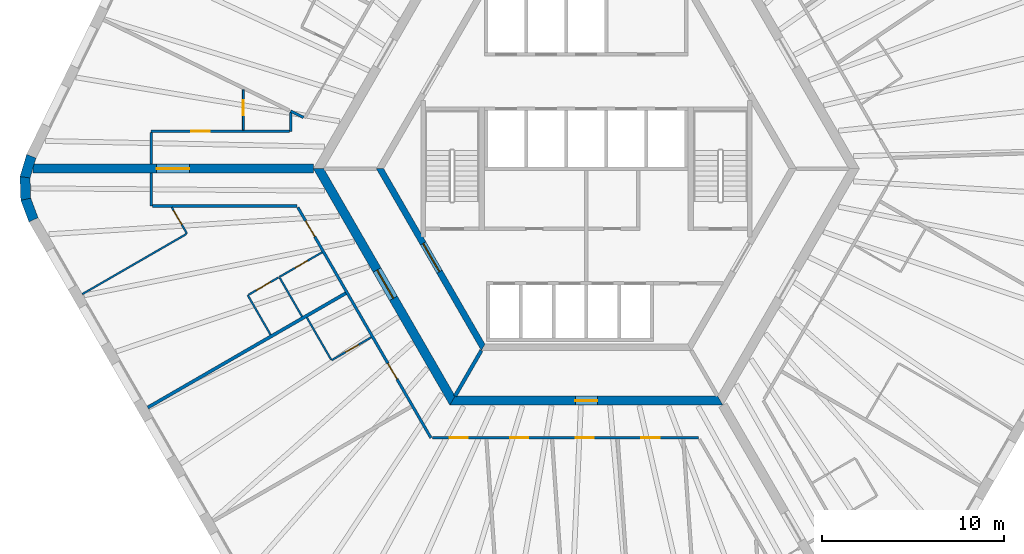
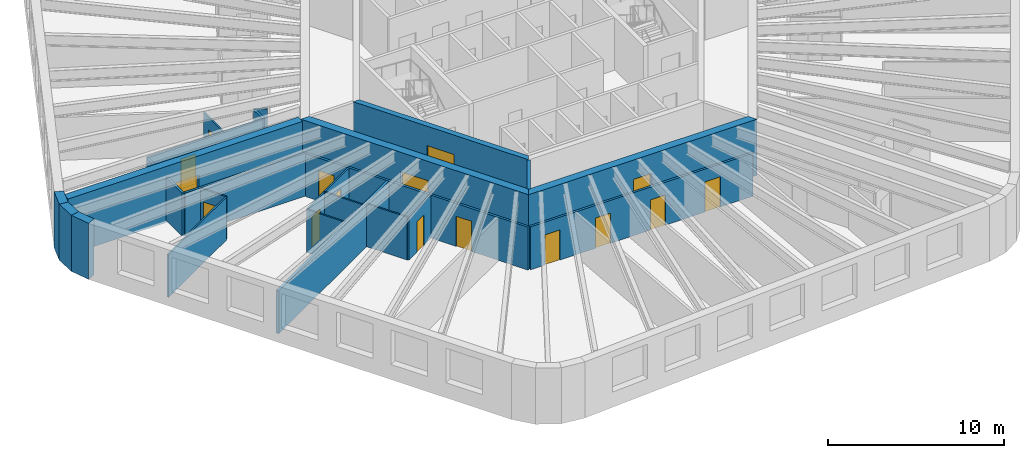
# One storey, part 3 of 10: 26 walls, 16 doors, 16 openings.
"""IFC4 building model written with IfcOpenShell, lengths in metres."""

from ifc_helpers import new_model, si_unit, direction, frame, frame_2d, origin, place, context, subcontext, project, spatial, polyline, rectangle, outline, extrude, material, layer, layer_set, type_object, element, fill, save


model = new_model("IFC4")

# Units and contexts
model_context = context("Model", 3, precision=1e-05, world=origin(), true_north=direction((0.0, 1.0)))
body_context = subcontext(model_context, "Body", "Model", "MODEL_VIEW")
ifc_project = project(units=[si_unit("LENGTHUNIT", "METRE"), si_unit("AREAUNIT", "SQUARE_METRE"), si_unit("VOLUMEUNIT", "CUBIC_METRE"), si_unit("PLANEANGLEUNIT", "RADIAN"), si_unit("MASSUNIT", "GRAM", prefix="KILO")], contexts=[model_context])

# Site, building, storey
site_placement = place(None, origin())
site = spatial("IfcSite", under=ifc_project, at=site_placement, CompositionType="ELEMENT")
building_placement = place(site_placement, origin())
building = spatial("IfcBuilding", under=site, at=building_placement, Name="Tarnside Tower", CompositionType="ELEMENT")
storey_placement = place(building_placement, frame((0.0, 0.0, 234.60009765625)))
storey = spatial("IfcBuildingStorey", under=building, at=storey_placement, Name="L56", CompositionType="ELEMENT", Elevation=234.60009765625)

# Wall, opening, door
ifc_material_1 = material(Name="Gypsum board partition on steel studs", Category="steel")
ifc_layer_1 = layer(ifc_material_1, 0.10009765625)
ifc_layer_set_1 = layer_set([ifc_layer_1], Name="Bathroom wall 100")
wall_type_1 = type_object("IfcWallType", Name="Bathroom wall 100", PredefinedType="PARTITIONING", material=ifc_layer_set_1)
wall_1_placement = place(storey_placement, frame((-18.85595703125, 2.125, 0.0), z_axis=(0.0, 0.0, 1.0), x_axis=(0.0, 1.0, 0.0)))
wall_1 = element("IfcWall", 1, at=wall_1_placement, inside=storey, type_object=wall_type_1, Name="Bathroom wall 18068", PredefinedType="PARTITIONING", context=body_context, shape_type="SweptSolid", body=[
    extrude(rectangle(XDim=2.207275390625, YDim=0.10009765625, at=frame_2d((1.103515625, 0.0))), origin(), (0.0, 0.0, 1.0), 2.98779296875),
])
opening_1_placement = place(wall_1_placement, frame((0.824951171875, 0.0, 0.0)))
opening_1 = element("IfcOpeningElement", 2, at=opening_1_placement, cuts=wall_1, Name="Opening D-B1", PredefinedType="OPENING", context=body_context, shape_type="SweptSolid", body=[
    extrude(rectangle(XDim=0.800048828125, YDim=2.10009765625, at=frame_2d((0.39990234375, 1.050048828125))), frame((0.0, 0.06005859375, 0.0), z_axis=(0.0, -1.0, 0.0), x_axis=(1.0, 0.0, 0.0)), (0.0, 0.0, 1.0), 0.1201171875),
])
ifc_material_2 = material(Name="Timber door leaf", Category="wood")
door_type_1 = type_object("IfcDoorType", Name="Bathroom door 800", OperationType="NOTDEFINED", PredefinedType="DOOR", material=ifc_material_2)
door_1_placement = place(opening_1_placement, origin())
door_1 = element("IfcDoor", 3, at=door_1_placement, inside=storey, type_object=door_type_1, Name="Bathroom door 18011", OperationType="SINGLE_SWING_LEFT", OverallHeight=2.10009765625, OverallWidth=0.800048828125, PredefinedType="DOOR", context=body_context, shape_type="SweptSolid", body=[
    extrude(rectangle(XDim=0.800048828125, YDim=2.10009765625, at=frame_2d((0.39990234375, 1.050048828125))), frame((0.0, 0.02490234375, 0.0), z_axis=(0.0, -1.0, 0.0), x_axis=(1.0, 0.0, 0.0)), (0.0, 0.0, 1.0), 0.050048828125),
])
fill(opening_1, door_1)

wall_2_placement = place(storey_placement, frame((-16.883056640625, -5.95751953125, 0.0), z_axis=(0.0, 0.0, 1.0), x_axis=(0.866012511928, 0.500022328685, 0.0)))
wall_2 = element("IfcWall", 4, at=wall_2_placement, inside=storey, type_object=wall_type_1, Name="Bathroom wall 18069", PredefinedType="PARTITIONING", context=body_context, shape_type="SweptSolid", body=[
    extrude(rectangle(XDim=2.72509765625, YDim=0.10009765625, at=frame_2d((1.362548828125, 0.0))), origin(), (0.0, 0.0, 1.0), 2.98779296875),
])
opening_2_placement = place(wall_2_placement, frame((1.0, 0.0, 0.0)))
opening_2 = element("IfcOpeningElement", 5, at=opening_2_placement, cuts=wall_2, Name="Opening D-B1", PredefinedType="OPENING", context=body_context, shape_type="SweptSolid", body=[
    extrude(rectangle(XDim=0.800048828125, YDim=2.10009765625, at=frame_2d((0.39990234375, 1.050048828125))), frame((0.0, 0.06005859375, 0.0), z_axis=(0.0, -1.0, 0.0), x_axis=(1.0, 0.0, 0.0)), (0.0, 0.0, 1.0), 0.1201171875),
])
door_2_placement = place(opening_2_placement, origin())
door_2 = element("IfcDoor", 6, at=door_2_placement, inside=storey, type_object=door_type_1, Name="Bathroom door 18013", OperationType="SINGLE_SWING_LEFT", OverallHeight=2.10009765625, OverallWidth=0.800048828125, PredefinedType="DOOR", context=body_context, shape_type="SweptSolid", body=[
    extrude(rectangle(XDim=0.800048828125, YDim=2.10009765625, at=frame_2d((0.39990234375, 1.050048828125))), frame((0.0, 0.02490234375, 0.0), z_axis=(0.0, -1.0, 0.0), x_axis=(1.0, 0.0, 0.0)), (0.0, 0.0, 1.0), 0.050048828125),
])
fill(opening_2, door_2)

# Wall
wall_3_placement = place(storey_placement, frame((-16.858154296875, -6.0009765625, 0.0), z_axis=(0.0, 0.0, 1.0), x_axis=(0.500003092839, -0.866023618125, 0.0)))
element("IfcWall", 7, at=wall_3_placement, inside=storey, type_object=wall_type_1, Name="Bathroom wall 18075", PredefinedType="PARTITIONING", context=body_context, shape_type="SweptSolid", body=[
    extrude(rectangle(XDim=2.4599609375, YDim=0.10009765625, at=frame_2d((1.22998046875, 0.0))), origin(), (0.0, 0.0, 1.0), 2.98779296875),
])

# Wall, opening, door
wall_4_placement = place(storey_placement, frame((-11.8232421875, -9.271728515625, 0.0), z_axis=(0.0, 0.0, 1.0), x_axis=(-0.866039067339, -0.499976333282, 0.0)))
wall_4 = element("IfcWall", 8, at=wall_4_placement, inside=storey, type_object=wall_type_1, Name="Bathroom wall 18079", PredefinedType="PARTITIONING", context=body_context, shape_type="SweptSolid", body=[
    extrude(rectangle(XDim=2.52490234375, YDim=0.10009765625, at=frame_2d((1.262451171875, 0.0))), origin(), (0.0, 0.0, 1.0), 2.98779296875),
])
opening_3_placement = place(wall_4_placement, frame((0.824951171875, 0.0, 0.0)))
opening_3 = element("IfcOpeningElement", 9, at=opening_3_placement, cuts=wall_4, Name="Opening D-B1", PredefinedType="OPENING", context=body_context, shape_type="SweptSolid", body=[
    extrude(rectangle(XDim=0.800048828125, YDim=2.10009765625, at=frame_2d((0.39990234375, 1.050048828125))), frame((0.0, 0.06005859375, 0.0), z_axis=(0.0, -1.0, 0.0), x_axis=(1.0, 0.0, 0.0)), (0.0, 0.0, 1.0), 0.1201171875),
])
door_3_placement = place(opening_3_placement, origin())
door_3 = element("IfcDoor", 10, at=door_3_placement, inside=storey, type_object=door_type_1, Name="Bathroom door 18017", OperationType="SINGLE_SWING_RIGHT", OverallHeight=2.10009765625, OverallWidth=0.800048828125, PredefinedType="DOOR", context=body_context, shape_type="SweptSolid", body=[
    extrude(rectangle(XDim=0.800048828125, YDim=2.10009765625, at=frame_2d((0.39990234375, 1.050048828125))), frame((0.0, 0.02490234375, 0.0), z_axis=(0.0, -1.0, 0.0), x_axis=(1.0, 0.0, 0.0)), (0.0, 0.0, 1.0), 0.050048828125),
])
fill(opening_3, door_3)

# Wall
wall_5_placement = place(storey_placement, frame((-14.034912109375, -10.49072265625, 0.0), z_axis=(0.0, 0.0, 1.0), x_axis=(-0.50004820116, 0.865997573043, 0.0)))
element("IfcWall", 11, at=wall_5_placement, inside=storey, type_object=wall_type_1, Name="Bathroom wall 18080", PredefinedType="PARTITIONING", context=body_context, shape_type="SweptSolid", body=[
    extrude(rectangle(XDim=2.659912109375, YDim=0.10009765625, at=frame_2d((1.330078125, 0.0))), origin(), (0.0, 0.0, 1.0), 2.98779296875),
])

# Wall, opening, door
ifc_material_3 = material(Name="Concrete C50/60", Category="concrete")
ifc_layer_2 = layer(ifc_material_3, 0.35009765625)
ifc_layer_set_2 = layer_set([ifc_layer_2], Name="Core block wall 350 C50/60")
wall_type_2 = type_object("IfcWallType", Name="Core block wall 350 C50/60", PredefinedType="SHEAR", material=ifc_layer_set_2)
wall_6_placement = place(storey_placement, frame((-11.344970703125, 0.0, -0.150146484375), z_axis=(0.0, 0.0, 1.0), x_axis=(0.499995046907, -0.866028263435, 0.0)))
wall_6 = element("IfcWall", 12, at=wall_6_placement, inside=storey, type_object=wall_type_2, Name="L56 core block wall face 3", PredefinedType="SHEAR", context=body_context, shape_type="SweptSolid", body=[
    extrude(outline(polyline([(-0.10107421875, -0.175048828125), (11.44580078125, -0.175048828125), (11.24365234375, 0.175048828125), (0.10107421875, 0.175048828125), (-0.10107421875, -0.175048828125)])), origin(), (0.0, 0.0, 1.0), 3.900146484375),
])
opening_4_placement = place(wall_6_placement, frame((4.74365234375, 0.0, 0.14990234375)))
opening_4 = element("IfcOpeningElement", 13, at=opening_4_placement, cuts=wall_6, Name="Opening CD-FFL", PredefinedType="OPENING", context=body_context, shape_type="SweptSolid", body=[
    extrude(rectangle(XDim=1.800048828125, YDim=2.39990234375, at=frame_2d((0.89990234375, 1.199951171875))), frame((0.0, 0.18505859375, 0.0), z_axis=(0.0, -1.0, 0.0), x_axis=(1.0, 0.0, 0.0)), (0.0, 0.0, 1.0), 0.3701171875),
])
ifc_material_4 = material(Name="Steel fire door", Category="steel")
door_type_2 = type_object("IfcDoorType", Name="Firefighting lobby double door FD60S 1800x2400", OperationType="NOTDEFINED", PredefinedType="DOOR", material=ifc_material_4)
door_4_placement = place(opening_4_placement, origin())
door_4 = element("IfcDoor", 14, at=door_4_placement, inside=storey, type_object=door_type_2, Name="L56 lobby block door P3", OperationType="DOUBLE_DOOR_SINGLE_SWING", OverallHeight=2.39990234375, OverallWidth=1.800048828125, PredefinedType="DOOR", context=body_context, shape_type="SweptSolid", body=[
    extrude(rectangle(XDim=1.800048828125, YDim=2.39990234375, at=frame_2d((0.89990234375, 1.199951171875))), frame((0.0, 0.02490234375, 0.0), z_axis=(0.0, -1.0, 0.0), x_axis=(1.0, 0.0, 0.0)), (0.0, 0.0, 1.0), 0.050048828125),
])
fill(opening_4, door_4)

ifc_material_5 = material(Name="Concrete C70/85", Category="concrete")
ifc_layer_3 = layer(ifc_material_5, 0.5)
ifc_layer_set_3 = layer_set([ifc_layer_3], Name="Core wall Z2 500 C70/85")
wall_type_3 = type_object("IfcWallType", Name="Core wall Z2 500 C70/85", PredefinedType="SHEAR", material=ifc_layer_set_3)
wall_7_placement = place(storey_placement, frame((-14.722412109375, 0.0, -0.150146484375), z_axis=(0.0, 0.0, 1.0), x_axis=(0.50000571537, -0.866022103989, 0.0)))
wall_7 = element("IfcWall", 15, at=wall_7_placement, inside=storey, type_object=wall_type_3, Name="L56 core wall face 3", PredefinedType="SHEAR", context=body_context, shape_type="SweptSolid", body=[
    extrude(outline(polyline([(-0.144287109375, -0.25), (14.86669921875, -0.25), (14.578125, 0.25), (0.144287109375, 0.25), (-0.144287109375, -0.25)])), origin(), (0.0, 0.0, 1.0), 3.900146484375),
])
opening_5_placement = place(wall_7_placement, frame((6.432373046875, 0.0, 0.14990234375)))
opening_5 = element("IfcOpeningElement", 16, at=opening_5_placement, cuts=wall_7, Name="Opening CD-FFL", PredefinedType="OPENING", context=body_context, shape_type="SweptSolid", body=[
    extrude(rectangle(XDim=1.800048828125, YDim=2.39990234375, at=frame_2d((0.89990234375, 1.199951171875))), frame((0.0, 0.260009765625, 0.0), z_axis=(0.0, -1.0, 0.0), x_axis=(1.0, 0.0, 0.0)), (0.0, 0.0, 1.0), 0.52001953125),
])
door_5_placement = place(opening_5_placement, origin())
door_5 = element("IfcDoor", 17, at=door_5_placement, inside=storey, type_object=door_type_2, Name="L56 core door P3", OperationType="DOUBLE_DOOR_SINGLE_SWING", OverallHeight=2.39990234375, OverallWidth=1.800048828125, PredefinedType="DOOR", context=body_context, shape_type="SweptSolid", body=[
    extrude(rectangle(XDim=1.800048828125, YDim=2.39990234375, at=frame_2d((0.89990234375, 1.199951171875))), frame((0.0, 0.02490234375, 0.0), z_axis=(0.0, -1.0, 0.0), x_axis=(1.0, 0.0, 0.0)), (0.0, 0.0, 1.0), 0.050048828125),
])
fill(opening_5, door_5)

wall_8_placement = place(storey_placement, frame((-7.361083984375, -12.75, -0.150146484375), z_axis=(0.0, 0.0, 1.0), x_axis=(1.0, 0.0, 0.0)))
wall_8 = element("IfcWall", 18, at=wall_8_placement, inside=storey, type_object=wall_type_3, Name="L56 core wall face 4", PredefinedType="SHEAR", context=body_context, shape_type="SweptSolid", body=[
    extrude(outline(polyline([(-0.144287109375, -0.25), (14.866455078125, -0.25), (14.577880859375, 0.25), (0.144287109375, 0.25), (-0.144287109375, -0.25)])), origin(), (0.0, 0.0, 1.0), 3.900146484375),
])
opening_6_placement = place(wall_8_placement, frame((6.76123046875, 0.0, 0.14990234375)))
opening_6 = element("IfcOpeningElement", 19, at=opening_6_placement, cuts=wall_8, Name="Opening CD-RSR", PredefinedType="OPENING", context=body_context, shape_type="SweptSolid", body=[
    extrude(rectangle(XDim=1.199951171875, YDim=2.39990234375, at=frame_2d((0.60009765625, 1.199951171875))), frame((0.0, 0.260009765625, 0.0), z_axis=(0.0, -1.0, 0.0), x_axis=(1.0, 0.0, 0.0)), (0.0, 0.0, 1.0), 0.52001953125),
])
door_type_3 = type_object("IfcDoorType", Name="Riser door FD60 1200x2400", OperationType="NOTDEFINED", PredefinedType="DOOR", material=ifc_material_4)
door_6_placement = place(opening_6_placement, origin())
door_6 = element("IfcDoor", 20, at=door_6_placement, inside=storey, type_object=door_type_3, Name="L56 core door S6", OperationType="SINGLE_SWING_LEFT", OverallHeight=2.39990234375, OverallWidth=1.199951171875, PredefinedType="DOOR", context=body_context, shape_type="SweptSolid", body=[
    extrude(rectangle(XDim=1.199951171875, YDim=2.39990234375, at=frame_2d((0.60009765625, 1.199951171875))), frame((0.0, 0.02490234375, 0.0), z_axis=(0.0, -1.0, 0.0), x_axis=(1.0, 0.0, 0.0)), (0.0, 0.0, 1.0), 0.050048828125),
])
fill(opening_6, door_6)

wall_9_placement = place(storey_placement, frame((-15.010986328125, 0.0, -0.150146484375), z_axis=(0.0, 0.0, 1.0), x_axis=(-1.0, 0.0, 0.0)))
wall_9 = element("IfcWall", 21, at=wall_9_placement, inside=storey, type_object=wall_type_3, Name="L56 spine wall 2", PredefinedType="SHEAR", context=body_context, shape_type="SweptSolid", body=[
    extrude(rectangle(XDim=15.423828125, YDim=0.5, at=frame_2d((7.7119140625, 0.0))), origin(), (0.0, 0.0, 1.0), 3.900146484375),
])
opening_7_placement = place(wall_9_placement, frame((6.811767578125, 0.0, 0.14990234375)))
opening_7 = element("IfcOpeningElement", 22, at=opening_7_placement, cuts=wall_9, Name="Opening CD-SPN", PredefinedType="OPENING", context=body_context, shape_type="SweptSolid", body=[
    extrude(rectangle(XDim=1.800048828125, YDim=2.39990234375, at=frame_2d((0.89990234375, 1.199951171875))), frame((0.0, 0.260009765625, 0.0), z_axis=(0.0, -1.0, 0.0), x_axis=(1.0, 0.0, 0.0)), (0.0, 0.0, 1.0), 0.52001953125),
])
door_type_4 = type_object("IfcDoorType", Name="Spine passage double door FD60 1800x2400", OperationType="NOTDEFINED", PredefinedType="DOOR", material=ifc_material_4)
door_7_placement = place(opening_7_placement, origin())
door_7 = element("IfcDoor", 23, at=door_7_placement, inside=storey, type_object=door_type_4, Name="L56 spine passage door 2", OperationType="DOUBLE_DOOR_SINGLE_SWING", OverallHeight=2.39990234375, OverallWidth=1.800048828125, PredefinedType="DOOR", context=body_context, shape_type="SweptSolid", body=[
    extrude(rectangle(XDim=1.800048828125, YDim=2.39990234375, at=frame_2d((0.89990234375, 1.199951171875))), frame((0.0, 0.02490234375, 0.0), z_axis=(0.0, -1.0, 0.0), x_axis=(1.0, 0.0, 0.0)), (0.0, 0.0, 1.0), 0.050048828125),
])
fill(opening_7, door_7)

# Wall
ifc_layer_4 = layer(ifc_material_1, 0.14990234375)
ifc_layer_set_4 = layer_set([ifc_layer_4], Name="Corridor wall 150 EI 60")
wall_type_4 = type_object("IfcWallType", Name="Corridor wall 150 EI 60", PredefinedType="PARTITIONING", material=ifc_layer_set_4)
wall_10_placement = place(storey_placement, frame((-15.54833984375, 2.8193359375, 0.0), z_axis=(0.0, 0.0, 1.0), x_axis=(-0.898827767233, 0.438302001879, 0.0)))
element("IfcWall", 24, at=wall_10_placement, inside=storey, type_object=wall_type_4, Name="Corridor wall 18012", PredefinedType="PARTITIONING", context=body_context, shape_type="SweptSolid", body=[
    extrude(rectangle(XDim=0.791015625, YDim=0.14990234375, at=frame_2d((0.3955078125, 0.0))), origin(), (0.0, 0.0, 1.0), 2.98779296875),
])

# Wall, opening, door
wall_11_placement = place(storey_placement, frame((-16.3310546875, 2.050048828125, 0.0), z_axis=(0.0, 0.0, 1.0), x_axis=(-1.0, 0.0, 0.0)))
wall_11 = element("IfcWall", 25, at=wall_11_placement, inside=storey, type_object=wall_type_4, Name="Corridor wall 18014", PredefinedType="PARTITIONING", context=body_context, shape_type="SweptSolid", body=[
    extrude(rectangle(XDim=7.591796875, YDim=0.14990234375, at=frame_2d((3.7958984375, 0.0))), origin(), (0.0, 0.0, 1.0), 2.98779296875),
])
opening_8_placement = place(wall_11_placement, frame((4.383544921875, 0.0, 0.0)))
opening_8 = element("IfcOpeningElement", 26, at=opening_8_placement, cuts=wall_11, Name="Opening D-E1", PredefinedType="OPENING", context=body_context, shape_type="SweptSolid", body=[
    extrude(rectangle(XDim=1.0, YDim=2.10009765625, at=frame_2d((0.5, 1.050048828125))), frame((0.0, 0.0849609375, 0.0), z_axis=(0.0, -1.0, 0.0), x_axis=(1.0, 0.0, 0.0)), (0.0, 0.0, 1.0), 0.169921875),
])
door_type_5 = type_object("IfcDoorType", Name="Unit entrance door 1000 FD30S", OperationType="NOTDEFINED", PredefinedType="DOOR", material=ifc_material_2)
door_8_placement = place(opening_8_placement, origin())
door_8 = element("IfcDoor", 27, at=door_8_placement, inside=storey, type_object=door_type_5, Name="Unit door 18010", OperationType="SINGLE_SWING_RIGHT", OverallHeight=2.10009765625, OverallWidth=1.0, PredefinedType="DOOR", context=body_context, shape_type="SweptSolid", body=[
    extrude(rectangle(XDim=1.0, YDim=2.10009765625, at=frame_2d((0.5, 1.050048828125))), frame((0.0, 0.02490234375, 0.0), z_axis=(0.0, -1.0, 0.0), x_axis=(1.0, 0.0, 0.0)), (0.0, 0.0, 1.0), 0.050048828125),
])
fill(opening_8, door_8)

# Walls
wall_12_placement = place(storey_placement, frame((-23.9228515625, 1.97509765625, 0.0), z_axis=(0.0, 0.0, 1.0), x_axis=(0.0, -1.0, 0.0)))
element("IfcWall", 28, at=wall_12_placement, inside=storey, type_object=wall_type_4, Name="Corridor wall 18015", PredefinedType="PARTITIONING", context=body_context, shape_type="SweptSolid", body=[
    extrude(rectangle(XDim=1.72509765625, YDim=0.14990234375, at=frame_2d((0.862548828125, 0.0))), origin(), (0.0, 0.0, 1.0), 2.98779296875),
])
wall_13_placement = place(storey_placement, frame((-16.256103515625, 3.0810546875, 0.0), z_axis=(0.0, 0.0, 1.0), x_axis=(0.0, -1.0, 0.0)))
element("IfcWall", 29, at=wall_13_placement, inside=storey, type_object=wall_type_4, Name="Corridor wall 18016", PredefinedType="PARTITIONING", context=body_context, shape_type="SweptSolid", body=[
    extrude(rectangle(XDim=1.031005859375, YDim=0.14990234375, at=frame_2d((0.515625, 0.0))), origin(), (0.0, 0.0, 1.0), 2.98779296875),
])
wall_14_placement = place(storey_placement, frame((-23.847900390625, -2.050048828125, 0.0), z_axis=(0.0, 0.0, 1.0), x_axis=(1.0, 0.0, 0.0)))
element("IfcWall", 30, at=wall_14_placement, inside=storey, type_object=wall_type_4, Name="Corridor wall 18018", PredefinedType="PARTITIONING", context=body_context, shape_type="SweptSolid", body=[
    extrude(rectangle(XDim=7.94189453125, YDim=0.14990234375, at=frame_2d((3.970947265625, 0.0))), origin(), (0.0, 0.0, 1.0), 2.98779296875),
])

# Wall, openings, doors
wall_15_placement = place(storey_placement, frame((-15.86279296875, -2.125, 0.0), z_axis=(0.0, 0.0, 1.0), x_axis=(0.500008833422, -0.866020303746, 0.0)))
wall_15 = element("IfcWall", 31, at=wall_15_placement, inside=storey, type_object=wall_type_4, Name="Corridor wall 18019", PredefinedType="PARTITIONING", context=body_context, shape_type="SweptSolid", body=[
    extrude(rectangle(XDim=14.635986328125, YDim=0.14990234375, at=frame_2d((7.31787109375, 0.0))), origin(), (0.0, 0.0, 1.0), 2.98779296875),
])
opening_9_placement = place(wall_15_placement, frame((0.861083984375, 0.0, 0.0)))
opening_9 = element("IfcOpeningElement", 32, at=opening_9_placement, cuts=wall_15, Name="Opening D-E1", PredefinedType="OPENING", context=body_context, shape_type="SweptSolid", body=[
    extrude(rectangle(XDim=1.0, YDim=2.10009765625, at=frame_2d((0.5, 1.050048828125))), frame((0.0, 0.0849609375, 0.0), z_axis=(0.0, -1.0, 0.0), x_axis=(1.0, 0.0, 0.0)), (0.0, 0.0, 1.0), 0.169921875),
])
opening_10_placement = place(wall_15_placement, frame((9.908935546875, 0.0, 0.0)))
opening_10 = element("IfcOpeningElement", 33, at=opening_10_placement, cuts=wall_15, Name="Opening D-E1", PredefinedType="OPENING", context=body_context, shape_type="SweptSolid", body=[
    extrude(rectangle(XDim=1.0, YDim=2.10009765625, at=frame_2d((0.5, 1.050048828125))), frame((0.0, 0.0849609375, 0.0), z_axis=(0.0, -1.0, 0.0), x_axis=(1.0, 0.0, 0.0)), (0.0, 0.0, 1.0), 0.169921875),
])
door_9_placement = place(opening_9_placement, origin())
door_9 = element("IfcDoor", 34, at=door_9_placement, inside=storey, type_object=door_type_5, Name="Unit door 18012", OperationType="SINGLE_SWING_RIGHT", OverallHeight=2.10009765625, OverallWidth=1.0, PredefinedType="DOOR", context=body_context, shape_type="SweptSolid", body=[
    extrude(rectangle(XDim=1.0, YDim=2.10009765625, at=frame_2d((0.5, 1.050048828125))), frame((0.0, 0.02490234375, 0.0), z_axis=(0.0, -1.0, 0.0), x_axis=(1.0, 0.0, 0.0)), (0.0, 0.0, 1.0), 0.050048828125),
])
fill(opening_9, door_9)
door_10_placement = place(opening_10_placement, origin())
door_10 = element("IfcDoor", 35, at=door_10_placement, inside=storey, type_object=door_type_5, Name="Unit door 18016", OperationType="SINGLE_SWING_RIGHT", OverallHeight=2.10009765625, OverallWidth=1.0, PredefinedType="DOOR", context=body_context, shape_type="SweptSolid", body=[
    extrude(rectangle(XDim=1.0, YDim=2.10009765625, at=frame_2d((0.5, 1.050048828125))), frame((0.0, 0.02490234375, 0.0), z_axis=(0.0, -1.0, 0.0), x_axis=(1.0, 0.0, 0.0)), (0.0, 0.0, 1.0), 0.050048828125),
])
fill(opening_10, door_10)

# Wall
wall_16_placement = place(storey_placement, frame((-23.9228515625, -0.25, 0.0), z_axis=(0.0, 0.0, 1.0), x_axis=(0.0, -1.0, 0.0)))
element("IfcWall", 36, at=wall_16_placement, inside=storey, type_object=wall_type_4, Name="Corridor wall 18021", PredefinedType="PARTITIONING", context=body_context, shape_type="SweptSolid", body=[
    extrude(rectangle(XDim=1.800048828125, YDim=0.14990234375, at=frame_2d((0.89990234375, 0.0))), origin(), (0.0, 0.0, 1.0), 2.98779296875),
])

# Wall, openings, doors
wall_17_placement = place(storey_placement, frame((-8.458251953125, -14.800048828125, 0.0), z_axis=(0.0, 0.0, 1.0), x_axis=(1.0, 0.0, 0.0)))
wall_17 = element("IfcWall", 37, at=wall_17_placement, inside=storey, type_object=wall_type_4, Name="Corridor wall 18026", PredefinedType="PARTITIONING", context=body_context, shape_type="SweptSolid", body=[
    extrude(rectangle(XDim=14.635986328125, YDim=0.14990234375, at=frame_2d((7.31787109375, 0.0))), origin(), (0.0, 0.0, 1.0), 2.98779296875),
])
opening_11_placement = place(wall_17_placement, frame((0.936279296875, 0.0, 0.0)))
opening_11 = element("IfcOpeningElement", 38, at=opening_11_placement, cuts=wall_17, Name="Opening D-E1", PredefinedType="OPENING", context=body_context, shape_type="SweptSolid", body=[
    extrude(rectangle(XDim=1.0, YDim=2.10009765625, at=frame_2d((0.5, 1.050048828125))), frame((0.0, 0.0849609375, 0.0), z_axis=(0.0, -1.0, 0.0), x_axis=(1.0, 0.0, 0.0)), (0.0, 0.0, 1.0), 0.169921875),
])
opening_12_placement = place(wall_17_placement, frame((4.263671875, 0.0, 0.0)))
opening_12 = element("IfcOpeningElement", 39, at=opening_12_placement, cuts=wall_17, Name="Opening D-E1", PredefinedType="OPENING", context=body_context, shape_type="SweptSolid", body=[
    extrude(rectangle(XDim=1.0, YDim=2.10009765625, at=frame_2d((0.5, 1.050048828125))), frame((0.0, 0.0849609375, 0.0), z_axis=(0.0, -1.0, 0.0), x_axis=(1.0, 0.0, 0.0)), (0.0, 0.0, 1.0), 0.169921875),
])
opening_13_placement = place(wall_17_placement, frame((7.872314453125, 0.0, 0.0)))
opening_13 = element("IfcOpeningElement", 40, at=opening_13_placement, cuts=wall_17, Name="Opening D-E1", PredefinedType="OPENING", context=body_context, shape_type="SweptSolid", body=[
    extrude(rectangle(XDim=1.0, YDim=2.10009765625, at=frame_2d((0.5, 1.050048828125))), frame((0.0, 0.0849609375, 0.0), z_axis=(0.0, -1.0, 0.0), x_axis=(1.0, 0.0, 0.0)), (0.0, 0.0, 1.0), 0.169921875),
])
opening_14_placement = place(wall_17_placement, frame((11.481201171875, 0.0, 0.0)))
opening_14 = element("IfcOpeningElement", 41, at=opening_14_placement, cuts=wall_17, Name="Opening D-E1", PredefinedType="OPENING", context=body_context, shape_type="SweptSolid", body=[
    extrude(rectangle(XDim=1.0, YDim=2.10009765625, at=frame_2d((0.5, 1.050048828125))), frame((0.0, 0.0849609375, 0.0), z_axis=(0.0, -1.0, 0.0), x_axis=(1.0, 0.0, 0.0)), (0.0, 0.0, 1.0), 0.169921875),
])
door_11_placement = place(opening_11_placement, origin())
door_11 = element("IfcDoor", 42, at=door_11_placement, inside=storey, type_object=door_type_5, Name="Unit door 18018", OperationType="SINGLE_SWING_RIGHT", OverallHeight=2.10009765625, OverallWidth=1.0, PredefinedType="DOOR", context=body_context, shape_type="SweptSolid", body=[
    extrude(rectangle(XDim=1.0, YDim=2.10009765625, at=frame_2d((0.5, 1.050048828125))), frame((0.0, 0.02490234375, 0.0), z_axis=(0.0, -1.0, 0.0), x_axis=(1.0, 0.0, 0.0)), (0.0, 0.0, 1.0), 0.050048828125),
])
fill(opening_11, door_11)
door_12_placement = place(opening_12_placement, origin())
door_12 = element("IfcDoor", 43, at=door_12_placement, inside=storey, type_object=door_type_5, Name="Unit door 18019", OperationType="SINGLE_SWING_RIGHT", OverallHeight=2.10009765625, OverallWidth=1.0, PredefinedType="DOOR", context=body_context, shape_type="SweptSolid", body=[
    extrude(rectangle(XDim=1.0, YDim=2.10009765625, at=frame_2d((0.5, 1.050048828125))), frame((0.0, 0.02490234375, 0.0), z_axis=(0.0, -1.0, 0.0), x_axis=(1.0, 0.0, 0.0)), (0.0, 0.0, 1.0), 0.050048828125),
])
fill(opening_12, door_12)
door_13_placement = place(opening_13_placement, origin())
door_13 = element("IfcDoor", 44, at=door_13_placement, inside=storey, type_object=door_type_5, Name="Unit door 18020", OperationType="SINGLE_SWING_RIGHT", OverallHeight=2.10009765625, OverallWidth=1.0, PredefinedType="DOOR", context=body_context, shape_type="SweptSolid", body=[
    extrude(rectangle(XDim=1.0, YDim=2.10009765625, at=frame_2d((0.5, 1.050048828125))), frame((0.0, 0.02490234375, 0.0), z_axis=(0.0, -1.0, 0.0), x_axis=(1.0, 0.0, 0.0)), (0.0, 0.0, 1.0), 0.050048828125),
])
fill(opening_13, door_13)
door_14_placement = place(opening_14_placement, origin())
door_14 = element("IfcDoor", 45, at=door_14_placement, inside=storey, type_object=door_type_5, Name="Unit door 18021", OperationType="SINGLE_SWING_RIGHT", OverallHeight=2.10009765625, OverallWidth=1.0, PredefinedType="DOOR", context=body_context, shape_type="SweptSolid", body=[
    extrude(rectangle(XDim=1.0, YDim=2.10009765625, at=frame_2d((0.5, 1.050048828125))), frame((0.0, 0.02490234375, 0.0), z_axis=(0.0, -1.0, 0.0), x_axis=(1.0, 0.0, 0.0)), (0.0, 0.0, 1.0), 0.050048828125),
])
fill(opening_14, door_14)

# Walls
ifc_layer_5 = layer(ifc_material_1, 0.179931640625)
ifc_layer_set_5 = layer_set([ifc_layer_5], Name="Demising wall 180 EI 60")
wall_type_5 = type_object("IfcWallType", Name="Demising wall 180 EI 60", PredefinedType="PARTITIONING", material=ifc_layer_set_5)
wall_18_placement = place(storey_placement, frame((-24.113525390625, -13.13427734375, 0.0), z_axis=(0.0, 0.0, 1.0), x_axis=(0.866024255907, 0.500001988177, 0.0)))
element("IfcWall", 46, at=wall_18_placement, inside=storey, type_object=wall_type_5, Name="Demising wall 18074", PredefinedType="PARTITIONING", context=body_context, shape_type="SweptSolid", body=[
    extrude(rectangle(XDim=12.5751953125, YDim=0.179931640625, at=frame_2d((6.28759765625, 0.0))), origin(), (0.0, 0.0, 1.0), 2.98779296875),
])
ifc_material_6 = material(Name="Concrete C40/50", Category="concrete")
ifc_layer_6 = layer(ifc_material_6, 0.199951171875)
ifc_layer_set_6 = layer_set([ifc_layer_6], Name="Lift shaft wall 200 C40/50")
wall_type_6 = type_object("IfcWallType", Name="Lift shaft wall 200 C40/50", PredefinedType="SHEAR", material=ifc_layer_set_6)
wall_19_placement = place(storey_placement, frame((-5.7734375, -10.0, -0.150146484375), z_axis=(0.0, 0.0, 1.0), x_axis=(-0.499995765644, -0.866027848477, 0.0)))
element("IfcWall", 47, at=wall_19_placement, inside=storey, type_object=wall_type_6, Name="L56 core partition AR240", PredefinedType="SHEAR", context=body_context, shape_type="SweptSolid", body=[
    extrude(rectangle(XDim=2.88671875, YDim=0.199951171875, at=frame_2d((1.443359375, 0.0))), origin(), (0.0, 0.0, 1.0), 3.900146484375),
])
ifc_layer_7 = layer(ifc_material_1, 0.10009765625)
ifc_layer_set_7 = layer_set([ifc_layer_7], Name="Partition 100")
wall_type_7 = type_object("IfcWallType", Name="Partition 100", PredefinedType="PARTITIONING", material=ifc_layer_set_7)
wall_20_placement = place(storey_placement, frame((-17.360107421875, -9.13134765625, 0.0), z_axis=(0.0, 0.0, 1.0), x_axis=(-0.50001992892, 0.866013897511, 0.0)))
element("IfcWall", 48, at=wall_20_placement, inside=storey, type_object=wall_type_7, Name="Partition wall 18070", PredefinedType="PARTITIONING", context=body_context, shape_type="SweptSolid", body=[
    extrude(rectangle(XDim=2.51025390625, YDim=0.10009765625, at=frame_2d((1.255126953125, 0.0))), origin(), (0.0, 0.0, 1.0), 2.98779296875),
])

# Wall, opening, door
wall_21_placement = place(storey_placement, frame((-18.57177734375, -6.9326171875, 0.0), z_axis=(0.0, 0.0, 1.0), x_axis=(0.86601224135, 0.500022797313, 0.0)))
wall_21 = element("IfcWall", 49, at=wall_21_placement, inside=storey, type_object=wall_type_7, Name="Partition wall 18071", PredefinedType="PARTITIONING", context=body_context, shape_type="SweptSolid", body=[
    extrude(rectangle(XDim=1.89990234375, YDim=0.10009765625, at=frame_2d((0.949951171875, 0.0))), origin(), (0.0, 0.0, 1.0), 2.98779296875),
])
opening_15_placement = place(wall_21_placement, frame((0.5, 0.0, 0.0)))
opening_15 = element("IfcOpeningElement", 50, at=opening_15_placement, cuts=wall_21, Name="Opening D-I1", PredefinedType="OPENING", context=body_context, shape_type="SweptSolid", body=[
    extrude(rectangle(XDim=0.89990234375, YDim=2.10009765625, at=frame_2d((0.449951171875, 1.050048828125))), frame((0.0, 0.06005859375, 0.0), z_axis=(0.0, -1.0, 0.0), x_axis=(1.0, 0.0, 0.0)), (0.0, 0.0, 1.0), 0.1201171875),
])
door_type_6 = type_object("IfcDoorType", Name="Internal door 900", OperationType="NOTDEFINED", PredefinedType="DOOR", material=ifc_material_2)
door_15_placement = place(opening_15_placement, origin())
door_15 = element("IfcDoor", 51, at=door_15_placement, inside=storey, type_object=door_type_6, Name="Internal door 18014", OperationType="SINGLE_SWING_RIGHT", OverallHeight=2.10009765625, OverallWidth=0.89990234375, PredefinedType="DOOR", context=body_context, shape_type="SweptSolid", body=[
    extrude(rectangle(XDim=0.89990234375, YDim=2.10009765625, at=frame_2d((0.449951171875, 1.050048828125))), frame((0.0, 0.02490234375, 0.0), z_axis=(0.0, -1.0, 0.0), x_axis=(1.0, 0.0, 0.0)), (0.0, 0.0, 1.0), 0.050048828125),
])
fill(opening_15, door_15)

wall_22_placement = place(storey_placement, frame((-22.791015625, -2.125, 0.0), z_axis=(0.0, 0.0, 1.0), x_axis=(0.500046635412, -0.865998477143, 0.0)))
wall_22 = element("IfcWall", 52, at=wall_22_placement, inside=storey, type_object=wall_type_7, Name="Partition wall 18072", PredefinedType="PARTITIONING", context=body_context, shape_type="SweptSolid", body=[
    extrude(rectangle(XDim=1.673095703125, YDim=0.10009765625, at=frame_2d((0.83642578125, 0.0))), origin(), (0.0, 0.0, 1.0), 2.98779296875),
])
opening_16_placement = place(wall_22_placement, frame((0.199951171875, 0.0, 0.0)))
opening_16 = element("IfcOpeningElement", 53, at=opening_16_placement, cuts=wall_22, Name="Opening D-I1", PredefinedType="OPENING", context=body_context, shape_type="SweptSolid", body=[
    extrude(rectangle(XDim=0.89990234375, YDim=2.10009765625, at=frame_2d((0.449951171875, 1.050048828125))), frame((0.0, 0.06005859375, 0.0), z_axis=(0.0, -1.0, 0.0), x_axis=(1.0, 0.0, 0.0)), (0.0, 0.0, 1.0), 0.1201171875),
])
door_16_placement = place(opening_16_placement, origin())
door_16 = element("IfcDoor", 54, at=door_16_placement, inside=storey, type_object=door_type_6, Name="Internal door 18015", OperationType="SINGLE_SWING_RIGHT", OverallHeight=2.10009765625, OverallWidth=0.89990234375, PredefinedType="DOOR", context=body_context, shape_type="SweptSolid", body=[
    extrude(rectangle(XDim=0.89990234375, YDim=2.10009765625, at=frame_2d((0.449951171875, 1.050048828125))), frame((0.0, 0.02490234375, 0.0), z_axis=(0.0, -1.0, 0.0), x_axis=(1.0, 0.0, 0.0)), (0.0, 0.0, 1.0), 0.050048828125),
])
fill(opening_16, door_16)

# Walls
wall_23_placement = place(storey_placement, frame((-21.997802734375, -3.598876953125, 0.0), z_axis=(0.0, 0.0, 1.0), x_axis=(-0.866014946329, -0.500018112406, 0.0)))
element("IfcWall", 55, at=wall_23_placement, inside=storey, type_object=wall_type_7, Name="Partition wall 18073", PredefinedType="PARTITIONING", context=body_context, shape_type="SweptSolid", body=[
    extrude(rectangle(XDim=6.599853515625, YDim=0.10009765625, at=frame_2d((3.2998046875, 0.0))), origin(), (0.0, 0.0, 1.0), 2.98779296875),
])
ifc_material_7 = material(Name="Facing brick", Category="masonry")
ifc_layer_8 = layer(ifc_material_7, 0.10205078125)
ifc_material_8 = material(Name="Concrete C60/75 precast", Category="concrete")
ifc_layer_9 = layer(ifc_material_8, 0.347900390625)
ifc_material_9 = material(Name="Mineral wool insulation")
ifc_layer_10 = layer(ifc_material_9, 0.10009765625)
ifc_layer_set_8 = layer_set([ifc_layer_8, ifc_layer_9, ifc_layer_10], Name="Tube wall 550 brick faced")
wall_type_8 = type_object("IfcWallType", Name="Tube wall 550 brick faced", PredefinedType="SOLIDWALL", material=ifc_layer_set_8)
wall_24_placement = place(storey_placement, frame((-30.51318359375, 0.684326171875, -0.150146484375), z_axis=(0.0, 0.0, 1.0), x_axis=(-0.286736058109, -0.958009620505, 0.0)))
element("IfcWall", 56, at=wall_24_placement, inside=storey, type_object=wall_type_8, Name="Tube wall L56 F2 chord 05", PredefinedType="SOLIDWALL", context=body_context, shape_type="SweptSolid", body=[
    extrude(outline(polyline([(-0.0224609375, -0.27490234375), (1.25341796875, -0.27490234375), (1.1630859375, 0.27490234375), (0.0224609375, 0.27490234375), (-0.0224609375, -0.27490234375)])), origin(), (0.0, 0.0, 1.0), 3.900146484375),
])
wall_25_placement = place(storey_placement, frame((-30.859619140625, -0.47314453125, -0.150146484375), z_axis=(0.0, 0.0, 1.0), x_axis=(0.03495638276, -0.999388838893, 0.0)))
element("IfcWall", 57, at=wall_25_placement, inside=storey, type_object=wall_type_8, Name="Tube wall L56 F2 chord 06", PredefinedType="SOLIDWALL", context=body_context, shape_type="SweptSolid", body=[
    extrude(outline(polyline([(-0.045166015625, -0.27490234375), (1.25341796875, -0.27490234375), (1.1630859375, 0.27490234375), (0.045166015625, 0.27490234375), (-0.045166015625, -0.27490234375)])), origin(), (0.0, 0.0, 1.0), 3.900146484375),
])
wall_26_placement = place(storey_placement, frame((-30.8173828125, -1.6806640625, -0.150146484375), z_axis=(0.0, 0.0, 1.0), x_axis=(0.352850303963, -0.935679786569, 0.0)))
element("IfcWall", 58, at=wall_26_placement, inside=storey, type_object=wall_type_8, Name="Tube wall L56 F2 chord 07", PredefinedType="SOLIDWALL", context=body_context, shape_type="SweptSolid", body=[
    extrude(outline(polyline([(-0.045166015625, -0.27490234375), (1.23046875, -0.27490234375), (1.185546875, 0.27490234375), (0.045166015625, 0.27490234375), (-0.045166015625, -0.27490234375)])), origin(), (0.0, 0.0, 1.0), 3.900146484375),
])

save(model, "model.ifc")
